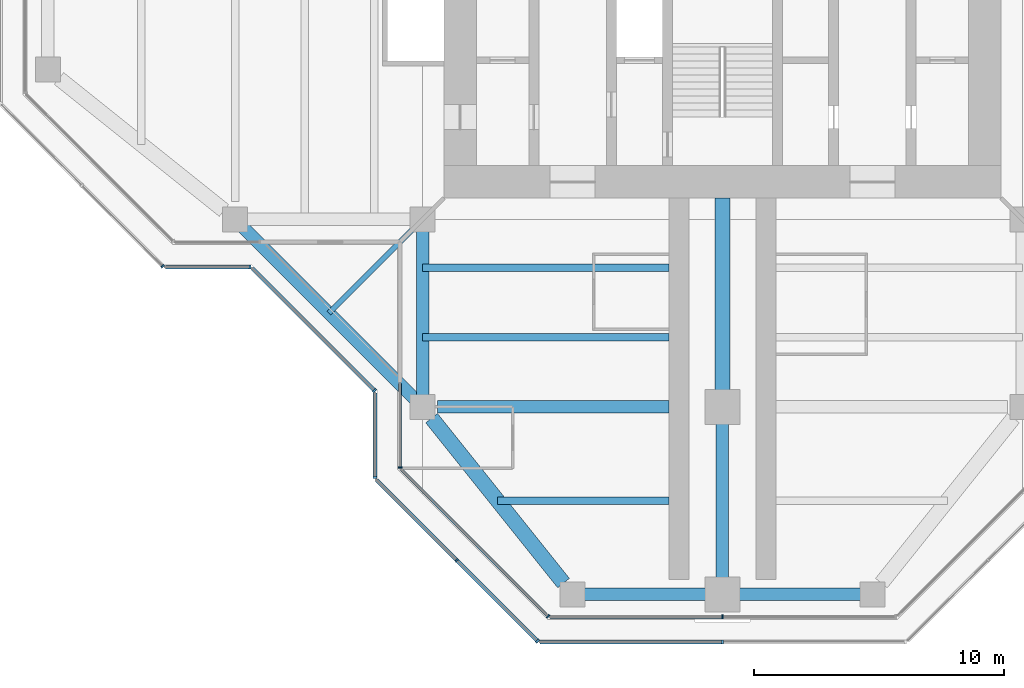
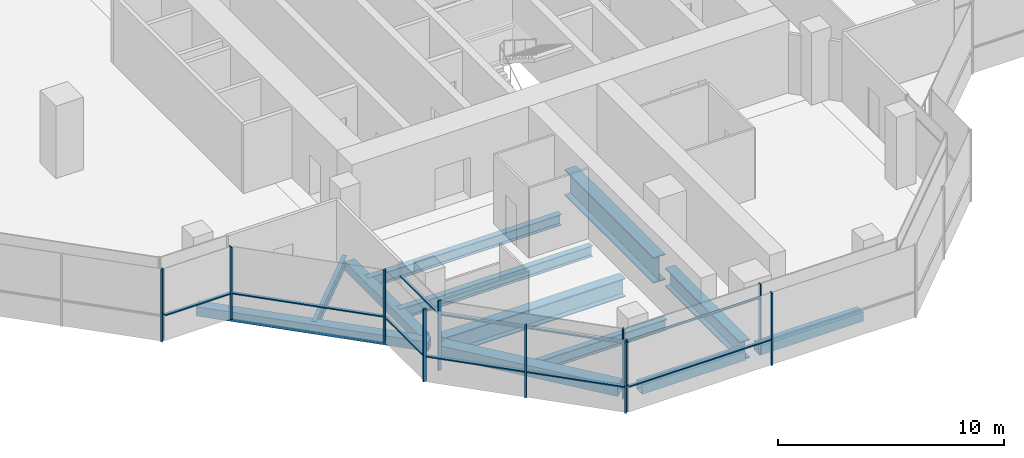
# One storey, part 2 of 15: 19 members, 12 beams, 9 elements without a shape of their own.
"""IFC4 building model written with IfcOpenShell, lengths in metres."""

from ifc_helpers import new_model, si_unit, direction, frame, origin, origin_2d, place, context, subcontext, project, spatial, rectangle, hollow_rectangle, i_section, extrude, material, material_profile, profile_set, type_object, element, aggregate, save


model = new_model("IFC4")

# Units and contexts
model_context = context("Model", 3, precision=1e-05, world=origin(), true_north=direction((0.0, 1.0)))
body_context = subcontext(model_context, "Body", "Model", "MODEL_VIEW")
ifc_project = project(units=[si_unit("LENGTHUNIT", "METRE"), si_unit("AREAUNIT", "SQUARE_METRE"), si_unit("VOLUMEUNIT", "CUBIC_METRE"), si_unit("PLANEANGLEUNIT", "RADIAN"), si_unit("MASSUNIT", "GRAM", prefix="KILO")], contexts=[model_context])

# Site, building, storey
site_placement = place(None, origin())
site = spatial("IfcSite", under=ifc_project, at=site_placement, CompositionType="ELEMENT")
building_placement = place(site_placement, origin())
building = spatial("IfcBuilding", under=site, at=building_placement, Name="Mizan Broadcast Tower", CompositionType="ELEMENT")
storey_placement = place(building_placement, frame((0.0, 0.0, 267.300048828125)))
storey = spatial("IfcBuildingStorey", under=building, at=storey_placement, Name="L63", CompositionType="ELEMENT", Elevation=267.300048828125)

# Beams
ifc_material_1 = material(Name="Steel S355", Category="steel")
ifc_material_profile_1 = material_profile(ifc_material_1, hollow_rectangle(XDim=0.5, YDim=0.5, WallThickness=0.030029296875, at=origin_2d()), Name="BOX 500x500x30")
ifc_profile_set_1 = profile_set([ifc_material_profile_1], Name="Steel S355")
beam_type_1 = type_object("IfcBeamType", Name="EDGE BEAM BOX 500x500x30", PredefinedType="SPANDREL", material=ifc_profile_set_1)
beam_1_placement = place(storey_placement, frame((-12.0, -12.449951171875, -0.380126953125), z_axis=(0.0, -1.0, 0.0), x_axis=(1.0, 0.0, 0.0)))
element("IfcBeam", 1, at=beam_1_placement, inside=storey, type_object=beam_type_1, Name="Edge beam BOX 500x500x30 L63 south arm", PredefinedType="SPANDREL", context=body_context, shape_type="SweptSolid", body=[
    extrude(hollow_rectangle(XDim=0.5, YDim=0.5, WallThickness=0.030029296875, at=origin_2d()), origin(), (0.0, 0.0, 1.0), 6.60009765625),
])
for number, where, z_axis, x_axis, name in (
    (2, (-5.639892578125, -27.0, -0.380126953125), (1.0, 0.0, 0.0), (0.0, 1.0, 0.0), "Edge beam BOX 500x500x30 L63 south arm"),
    (3, (5.639892578125, -27.0, -0.380126953125), (-1.0, 0.0, 0.0), (0.0, -1.0, 0.0), "Edge beam BOX 500x500x30 L63 south arm"),
):
    element("IfcBeam", number, at=place(storey_placement, frame(where, z_axis=z_axis, x_axis=x_axis)), inside=storey, type_object=beam_type_1, Name=name, PredefinedType="SPANDREL", context=body_context, shape_type="SweptSolid", body=[
        extrude(hollow_rectangle(XDim=0.5, YDim=0.5, WallThickness=0.030029296875, at=origin_2d()), origin(), (0.0, 0.0, 1.0), 5.27978515625),
    ])
beam_2_placement = place(storey_placement, frame((-19.5, -12.0, -0.380126953125), z_axis=(0.707106781187, -0.707106781187, 0.0), x_axis=(0.707106781187, 0.707106781187, 0.0)))
element("IfcBeam", 4, at=beam_2_placement, inside=storey, type_object=beam_type_1, Name="Winter garden edge beam L63 W", PredefinedType="SPANDREL", context=body_context, shape_type="SweptSolid", body=[
    extrude(hollow_rectangle(XDim=0.5, YDim=0.5, WallThickness=0.030029296875, at=origin_2d()), origin(), (0.0, 0.0, 1.0), 10.606689453125),
])
ifc_material_2 = material(Name="Steel S355", Category="steel")
ifc_material_profile_2 = material_profile(ifc_material_2, hollow_rectangle(XDim=0.60009765625, YDim=0.60009765625, WallThickness=0.030029296875, at=origin_2d()), Name="BOX 600x600x30")
ifc_profile_set_2 = profile_set([ifc_material_profile_2], Name="Steel S355")
beam_type_2 = type_object("IfcBeamType", Name="EDGE BEAM BOX 600x600x30", PredefinedType="SPANDREL", material=ifc_profile_set_2)
beam_3_placement = place(storey_placement, frame((-11.639892578125, -19.949951171875, -0.429931640625), z_axis=(0.624673911726, -0.780885717636, 0.0), x_axis=(0.780885717636, 0.624673911726, 0.0)))
element("IfcBeam", 5, at=beam_3_placement, inside=storey, type_object=beam_type_2, Name="Edge beam BOX 600x600x30 L63 south arm", PredefinedType="SPANDREL", context=body_context, shape_type="SweptSolid", body=[
    extrude(hollow_rectangle(XDim=0.60009765625, YDim=0.60009765625, WallThickness=0.030029296875, at=origin_2d()), origin(), (0.0, 0.0, 1.0), 8.4521484375),
])
ifc_material_3 = material(Name="Steel S460", Category="steel")
ifc_material_profile_3 = material_profile(ifc_material_3, i_section(OverallWidth=0.5, OverallDepth=1.0, WebThickness=0.02490234375, FlangeThickness=0.050048828125, at=origin_2d()), Name="WPG 1000x500")
ifc_profile_set_3 = profile_set([ifc_material_profile_3], Name="Steel S460")
beam_type_3 = type_object("IfcBeamType", Name="GIRDER WPG 1000x500", PredefinedType="BEAM", material=ifc_profile_set_3)
beam_4_placement = place(storey_placement, frame((0.0, -19.949951171875, -0.630126953125), z_axis=(0.0, -1.0, 0.0), x_axis=(1.0, 0.0, 0.0)))
element("IfcBeam", 6, at=beam_4_placement, inside=storey, type_object=beam_type_3, Name="Girder WPG 1000x500 L63 south arm", PredefinedType="BEAM", context=body_context, shape_type="SweptSolid", body=[
    extrude(i_section(OverallWidth=0.5, OverallDepth=1.0, WebThickness=0.02490234375, FlangeThickness=0.050048828125, at=origin_2d()), origin(), (0.0, 0.0, 1.0), 6.60009765625),
])
beam_5_placement = place(storey_placement, frame((-11.408935546875, -19.5, -0.630126953125), z_axis=(1.0, 0.0, 0.0), x_axis=(0.0, 1.0, 0.0)))
element("IfcBeam", 7, at=beam_5_placement, inside=storey, type_object=beam_type_3, Name="Girder WPG 1000x500 L63 south arm", PredefinedType="BEAM", context=body_context, shape_type="SweptSolid", body=[
    extrude(i_section(OverallWidth=0.5, OverallDepth=1.0, WebThickness=0.02490234375, FlangeThickness=0.050048828125, at=origin_2d()), origin(), (0.0, 0.0, 1.0), 9.259033203125),
])
ifc_material_4 = material(Name="Steel S460", Category="steel")
ifc_material_profile_4 = material_profile(ifc_material_4, i_section(OverallWidth=0.60009765625, OverallDepth=1.39990234375, WebThickness=0.02490234375, FlangeThickness=0.06005859375, at=origin_2d()), Name="WPG 1400x600")
ifc_profile_set_4 = profile_set([ifc_material_profile_4], Name="Steel S460")
beam_type_4 = type_object("IfcBeamType", Name="GIRDER WPG 1400x600", PredefinedType="BEAM", material=ifc_profile_set_4)
beam_6_placement = place(storey_placement, frame((0.0, -11.14990234375, -0.830078125), z_axis=(0.0, -1.0, 0.0), x_axis=(1.0, 0.0, 0.0)))
element("IfcBeam", 8, at=beam_6_placement, inside=storey, type_object=beam_type_4, Name="Girder WPG 1400x600 L63 south arm", PredefinedType="BEAM", context=body_context, shape_type="SweptSolid", body=[
    extrude(i_section(OverallWidth=0.60009765625, OverallDepth=1.39990234375, WebThickness=0.02490234375, FlangeThickness=0.06005859375, at=origin_2d()), origin(), (0.0, 0.0, 1.0), 7.84912109375),
])

# Curtain wall, member
ifc_material_5 = material(Name="Aluminium framed glazing", Category="aluminium")
curtain_wall_type_1 = type_object("IfcCurtainWallType", Name="INNER SKIN TOP ZONE", PredefinedType="USERDEFINED", material=ifc_material_5)
curtain_wall_1_placement = place(storey_placement, origin())
curtain_wall_1 = element("IfcCurtainWall", 9, at=curtain_wall_1_placement, inside=storey, type_object=curtain_wall_type_1, Name="Inner skin top zone L63 S side", ObjectType="INNER SKIN TOP ZONE", PredefinedType="USERDEFINED")
ifc_material_6 = material(Name="Aluminium, pale anodised", Category="aluminium")
ifc_material_profile_5 = material_profile(ifc_material_6, rectangle(XDim=0.159912109375, YDim=0.06005859375, at=origin_2d()), Name="MULLION 160x60")
ifc_profile_set_5 = profile_set([ifc_material_profile_5], Name="Aluminium, pale anodised")
member_type_1 = type_object("IfcMemberType", Name="INNER SKIN MULLION 60x160", PredefinedType="MULLION", material=ifc_profile_set_5)
member_1_placement = place(storey_placement, frame((-12.89990234375, -21.928466796875, 0.0), z_axis=(0.0, 0.0, 1.0), x_axis=(1.0, 0.0, 0.0)))
member_1 = element("IfcMember", 10, at=member_1_placement, type_object=member_type_1, Name="Inner skin top zone L63 S side mullion 2", PredefinedType="MULLION", context=body_context, shape_type="SweptSolid", body=[
    extrude(rectangle(XDim=0.159912109375, YDim=0.06005859375, at=origin_2d()), origin(), (0.0, 0.0, 1.0), 3.77001953125),
])

curtain_wall_2_placement = place(storey_placement, origin())
curtain_wall_2 = element("IfcCurtainWall", 11, at=curtain_wall_2_placement, inside=storey, type_object=curtain_wall_type_1, Name="Inner skin top zone L63 S chamfer", ObjectType="INNER SKIN TOP ZONE", PredefinedType="USERDEFINED")
member_2_placement = place(storey_placement, frame((-6.979736328125, -27.87890625, 0.0), z_axis=(0.0, 0.0, 1.0), x_axis=(0.707106781187, 0.707106781187, 0.0)))
member_2 = element("IfcMember", 12, at=member_2_placement, type_object=member_type_1, Name="Inner skin top zone L63 S chamfer mullion 2", PredefinedType="MULLION", context=body_context, shape_type="SweptSolid", body=[
    extrude(rectangle(XDim=0.159912109375, YDim=0.06005859375, at=origin_2d()), origin(), (0.0, 0.0, 1.0), 3.77001953125),
])

curtain_wall_3_placement = place(storey_placement, origin())
curtain_wall_3 = element("IfcCurtainWall", 13, at=curtain_wall_3_placement, inside=storey, type_object=curtain_wall_type_1, Name="Inner skin top zone L63 S end", ObjectType="INNER SKIN TOP ZONE", PredefinedType="USERDEFINED")
member_3_placement = place(storey_placement, frame((0.0, -27.89990234375, 0.0), z_axis=(0.0, 0.0, 1.0), x_axis=(0.0, 1.0, 0.0)))
member_3 = element("IfcMember", 14, at=member_3_placement, type_object=member_type_1, Name="Inner skin top zone L63 S end mullion 2", PredefinedType="MULLION", context=body_context, shape_type="SweptSolid", body=[
    extrude(rectangle(XDim=0.159912109375, YDim=0.06005859375, at=origin_2d()), origin(), (0.0, 0.0, 1.0), 3.77001953125),
])

# Member
ifc_material_7 = material(Name="Aluminium, pale anodised", Category="aluminium")
ifc_material_profile_6 = material_profile(ifc_material_7, rectangle(XDim=0.1201171875, YDim=0.06005859375, at=origin_2d()), Name="TRANSOM 120x60")
ifc_profile_set_6 = profile_set([ifc_material_profile_6], Name="Aluminium, pale anodised")
member_type_2 = type_object("IfcMemberType", Name="INNER SKIN TRANSOM 60x120", PredefinedType="USERDEFINED", material=ifc_profile_set_6)
member_4_placement = place(storey_placement, frame((-12.89990234375, -18.56005859375, 3.030029296875), z_axis=(0.0, -1.0, 0.0), x_axis=(1.0, 0.0, 0.0)))
member_4 = element("IfcMember", 15, at=member_4_placement, type_object=member_type_2, Name="Inner skin top zone L63 S side transom 1.1", ObjectType="TRANSOM", PredefinedType="USERDEFINED", context=body_context, shape_type="SweptSolid", body=[
    extrude(rectangle(XDim=0.1201171875, YDim=0.06005859375, at=origin_2d()), origin(), (0.0, 0.0, 1.0), 3.338623046875),
])

aggregate(curtain_wall_1, [member_1, member_4])

member_5_placement = place(storey_placement, frame((-12.857666015625, -22.0009765625, 3.030029296875), z_axis=(0.707106781187, -0.707106781187, 0.0), x_axis=(0.707106781187, 0.707106781187, 0.0)))
member_5 = element("IfcMember", 16, at=member_5_placement, type_object=member_type_2, Name="Inner skin top zone L63 S chamfer transom 1.1", ObjectType="TRANSOM", PredefinedType="USERDEFINED", context=body_context, shape_type="SweptSolid", body=[
    extrude(rectangle(XDim=0.1201171875, YDim=0.06005859375, at=origin_2d()), origin(), (0.0, 0.0, 1.0), 8.28271484375),
])

aggregate(curtain_wall_2, [member_2, member_5])

member_6_placement = place(storey_placement, frame((-6.898681640625, -27.89990234375, 3.030029296875), z_axis=(1.0, 0.0, 0.0), x_axis=(0.0, 1.0, 0.0)))
member_6 = element("IfcMember", 17, at=member_6_placement, type_object=member_type_2, Name="Inner skin top zone L63 S end transom 1.1", ObjectType="TRANSOM", PredefinedType="USERDEFINED", context=body_context, shape_type="SweptSolid", body=[
    extrude(rectangle(XDim=0.1201171875, YDim=0.06005859375, at=origin_2d()), origin(), (0.0, 0.0, 1.0), 6.86865234375),
])

aggregate(curtain_wall_3, [member_3, member_6])

# Curtain wall, member
ifc_material_8 = material(Name="Aluminium framed glazing", Category="aluminium")
curtain_wall_type_2 = type_object("IfcCurtainWallType", Name="OUTER SKIN", PredefinedType="USERDEFINED", material=ifc_material_8)
curtain_wall_4_placement = place(storey_placement, origin())
curtain_wall_4 = element("IfcCurtainWall", 18, at=curtain_wall_4_placement, inside=storey, type_object=curtain_wall_type_2, Name="Outer skin L63 W chamfer", ObjectType="OUTER SKIN", PredefinedType="USERDEFINED")
ifc_material_9 = material(Name="Aluminium, pale anodised", Category="aluminium")
ifc_material_profile_7 = material_profile(ifc_material_9, rectangle(XDim=0.159912109375, YDim=0.080078125, at=origin_2d()), Name="MULLION 160x80")
ifc_profile_set_7 = profile_set([ifc_material_profile_7], Name="Aluminium, pale anodised")
member_type_3 = type_object("IfcMemberType", Name="OUTER SKIN MULLION 80x160", PredefinedType="MULLION", material=ifc_profile_set_7)
member_7_placement = place(storey_placement, frame((-22.401123046875, -13.871826171875, 0.0), z_axis=(0.0, 0.0, 1.0), x_axis=(0.707106781187, 0.707106781187, 0.0)))
member_7 = element("IfcMember", 19, at=member_7_placement, type_object=member_type_3, Name="Outer skin L63 W chamfer mullion 3", PredefinedType="MULLION", context=body_context, shape_type="SweptSolid", body=[
    extrude(rectangle(XDim=0.159912109375, YDim=0.080078125, at=origin_2d()), origin(), (0.0, 0.0, 1.0), 3.89990234375),
])
aggregate(curtain_wall_4, [member_7])

curtain_wall_5_placement = place(storey_placement, origin())
curtain_wall_5 = element("IfcCurtainWall", 20, at=curtain_wall_5_placement, inside=storey, type_object=curtain_wall_type_2, Name="Outer skin L63 W side", ObjectType="OUTER SKIN", PredefinedType="USERDEFINED")
member_8_placement = place(storey_placement, frame((-18.912841796875, -13.89990234375, 0.0), z_axis=(0.0, 0.0, 1.0), x_axis=(0.0, 1.0, 0.0)))
member_8 = element("IfcMember", 21, at=member_8_placement, type_object=member_type_3, Name="Outer skin L63 W side mullion 2", PredefinedType="MULLION", context=body_context, shape_type="SweptSolid", body=[
    extrude(rectangle(XDim=0.159912109375, YDim=0.080078125, at=origin_2d()), origin(), (0.0, 0.0, 1.0), 3.89990234375),
])

curtain_wall_6_placement = place(storey_placement, origin())
curtain_wall_6 = element("IfcCurtainWall", 22, at=curtain_wall_6_placement, inside=storey, type_object=curtain_wall_type_2, Name="Outer skin L63 W chamfer", ObjectType="OUTER SKIN", PredefinedType="USERDEFINED")
member_9_placement = place(storey_placement, frame((-13.92822265625, -18.844482421875, 0.0), z_axis=(0.0, 0.0, 1.0), x_axis=(0.707106781187, 0.707106781187, 0.0)))
member_9 = element("IfcMember", 23, at=member_9_placement, type_object=member_type_3, Name="Outer skin L63 W chamfer mullion 2", PredefinedType="MULLION", context=body_context, shape_type="SweptSolid", body=[
    extrude(rectangle(XDim=0.159912109375, YDim=0.080078125, at=origin_2d()), origin(), (0.0, 0.0, 1.0), 3.89990234375),
])

curtain_wall_7_placement = place(storey_placement, origin())
curtain_wall_7 = element("IfcCurtainWall", 24, at=curtain_wall_7_placement, inside=storey, type_object=curtain_wall_type_2, Name="Outer skin L63 S side", ObjectType="OUTER SKIN", PredefinedType="USERDEFINED")
member_10_placement = place(storey_placement, frame((-13.89990234375, -22.332763671875, 0.0), z_axis=(0.0, 0.0, 1.0), x_axis=(1.0, 0.0, 0.0)))
member_10 = element("IfcMember", 25, at=member_10_placement, type_object=member_type_3, Name="Outer skin L63 S side mullion 2", PredefinedType="MULLION", context=body_context, shape_type="SweptSolid", body=[
    extrude(rectangle(XDim=0.159912109375, YDim=0.080078125, at=origin_2d()), origin(), (0.0, 0.0, 1.0), 3.89990234375),
])

# Curtain wall, members
curtain_wall_8_placement = place(storey_placement, origin())
curtain_wall_8 = element("IfcCurtainWall", 26, at=curtain_wall_8_placement, inside=storey, type_object=curtain_wall_type_2, Name="Outer skin L63 S chamfer", ObjectType="OUTER SKIN", PredefinedType="USERDEFINED")
member_11_placement = place(storey_placement, frame((-10.636474609375, -25.636474609375, 0.0), z_axis=(0.0, 0.0, 1.0), x_axis=(0.707106781187, 0.707106781187, 0.0)))
member_11 = element("IfcMember", 27, at=member_11_placement, type_object=member_type_3, Name="Outer skin L63 S chamfer mullion 2", PredefinedType="MULLION", context=body_context, shape_type="SweptSolid", body=[
    extrude(rectangle(XDim=0.159912109375, YDim=0.080078125, at=origin_2d()), origin(), (0.0, 0.0, 1.0), 3.89990234375),
])
member_12_placement = place(storey_placement, frame((-7.401123046875, -28.871826171875, 0.0), z_axis=(0.0, 0.0, 1.0), x_axis=(0.707106781187, 0.707106781187, 0.0)))
member_12 = element("IfcMember", 28, at=member_12_placement, type_object=member_type_3, Name="Outer skin L63 S chamfer mullion 3", PredefinedType="MULLION", context=body_context, shape_type="SweptSolid", body=[
    extrude(rectangle(XDim=0.159912109375, YDim=0.080078125, at=origin_2d()), origin(), (0.0, 0.0, 1.0), 3.89990234375),
])

# Curtain wall, member
curtain_wall_9_placement = place(storey_placement, origin())
curtain_wall_9 = element("IfcCurtainWall", 29, at=curtain_wall_9_placement, inside=storey, type_object=curtain_wall_type_2, Name="Outer skin L63 S end", ObjectType="OUTER SKIN", PredefinedType="USERDEFINED")
member_13_placement = place(storey_placement, frame((0.0, -28.89990234375, 0.0), z_axis=(0.0, 0.0, 1.0), x_axis=(0.0, 1.0, 0.0)))
member_13 = element("IfcMember", 30, at=member_13_placement, type_object=member_type_3, Name="Outer skin L63 S end mullion 2", PredefinedType="MULLION", context=body_context, shape_type="SweptSolid", body=[
    extrude(rectangle(XDim=0.159912109375, YDim=0.080078125, at=origin_2d()), origin(), (0.0, 0.0, 1.0), 3.89990234375),
])

# Member
ifc_material_10 = material(Name="Aluminium, pale anodised", Category="aluminium")
ifc_material_profile_8 = material_profile(ifc_material_10, rectangle(XDim=0.159912109375, YDim=0.06005859375, at=origin_2d()), Name="TRANSOM 160x60")
ifc_profile_set_8 = profile_set([ifc_material_profile_8], Name="Aluminium, pale anodised")
member_type_4 = type_object("IfcMemberType", Name="OUTER SKIN TRANSOM 60x160", PredefinedType="USERDEFINED", material=ifc_profile_set_8)
member_14_placement = place(storey_placement, frame((-22.292724609375, -13.89990234375, 1.39990234375), z_axis=(1.0, 0.0, 0.0), x_axis=(0.0, 1.0, 0.0)))
member_14 = element("IfcMember", 31, at=member_14_placement, type_object=member_type_4, Name="Outer skin L63 W side transom 1.1", ObjectType="TRANSOM", PredefinedType="USERDEFINED", context=body_context, shape_type="SweptSolid", body=[
    extrude(rectangle(XDim=0.159912109375, YDim=0.06005859375, at=origin_2d()), origin(), (0.0, 0.0, 1.0), 3.33984375),
])

aggregate(curtain_wall_5, [member_8, member_14])

member_15_placement = place(storey_placement, frame((-18.816162109375, -13.95654296875, 1.39990234375), z_axis=(0.707106781187, -0.707106781187, 0.0), x_axis=(0.707106781187, 0.707106781187, 0.0)))
member_15 = element("IfcMember", 32, at=member_15_placement, type_object=member_type_4, Name="Outer skin L63 W chamfer transom 1.1", ObjectType="TRANSOM", PredefinedType="USERDEFINED", context=body_context, shape_type="SweptSolid", body=[
    extrude(rectangle(XDim=0.159912109375, YDim=0.06005859375, at=origin_2d()), origin(), (0.0, 0.0, 1.0), 6.87255859375),
])

aggregate(curtain_wall_6, [member_9, member_15])

member_16_placement = place(storey_placement, frame((-13.89990234375, -18.952880859375, 1.39990234375), z_axis=(0.0, -1.0, 0.0), x_axis=(1.0, 0.0, 0.0)))
member_16 = element("IfcMember", 33, at=member_16_placement, type_object=member_type_4, Name="Outer skin L63 S side transom 1.1", ObjectType="TRANSOM", PredefinedType="USERDEFINED", context=body_context, shape_type="SweptSolid", body=[
    extrude(rectangle(XDim=0.159912109375, YDim=0.06005859375, at=origin_2d()), origin(), (0.0, 0.0, 1.0), 3.33984375),
])

aggregate(curtain_wall_7, [member_10, member_16])

member_17_placement = place(storey_placement, frame((-13.843505859375, -22.429443359375, 1.39990234375), z_axis=(0.707106781187, -0.707106781187, 0.0), x_axis=(0.707106781187, 0.707106781187, 0.0)))
member_17 = element("IfcMember", 34, at=member_17_placement, type_object=member_type_4, Name="Outer skin L63 S chamfer transom 1.1", ObjectType="TRANSOM", PredefinedType="USERDEFINED", context=body_context, shape_type="SweptSolid", body=[
    extrude(rectangle(XDim=0.159912109375, YDim=0.06005859375, at=origin_2d()), origin(), (0.0, 0.0, 1.0), 4.495361328125),
])

member_18_placement = place(storey_placement, frame((-10.608154296875, -25.664794921875, 1.39990234375), z_axis=(0.707106781187, -0.707106781187, 0.0), x_axis=(0.707106781187, 0.707106781187, 0.0)))
member_18 = element("IfcMember", 35, at=member_18_placement, type_object=member_type_4, Name="Outer skin L63 S chamfer transom 2.1", ObjectType="TRANSOM", PredefinedType="USERDEFINED", context=body_context, shape_type="SweptSolid", body=[
    extrude(rectangle(XDim=0.159912109375, YDim=0.06005859375, at=origin_2d()), origin(), (0.0, 0.0, 1.0), 4.495361328125),
])

aggregate(curtain_wall_8, [member_11, member_12, member_17, member_18])

member_19_placement = place(storey_placement, frame((-7.292724609375, -28.89990234375, 1.39990234375), z_axis=(1.0, 0.0, 0.0), x_axis=(0.0, 1.0, 0.0)))
member_19 = element("IfcMember", 36, at=member_19_placement, type_object=member_type_4, Name="Outer skin L63 S end transom 1.1", ObjectType="TRANSOM", PredefinedType="USERDEFINED", context=body_context, shape_type="SweptSolid", body=[
    extrude(rectangle(XDim=0.159912109375, YDim=0.06005859375, at=origin_2d()), origin(), (0.0, 0.0, 1.0), 7.252685546875),
])

aggregate(curtain_wall_9, [member_13, member_19])

# Beams
ifc_material_11 = material(Name="Steel S355", Category="steel")
ifc_material_profile_9 = material_profile(ifc_material_11, i_section(OverallWidth=0.300048828125, OverallDepth=0.590087890625, WebThickness=0.012939453125, FlangeThickness=0.02490234375, FilletRadius=0.027099609375, at=origin_2d()), Name="HEA 600")
ifc_profile_set_9 = profile_set([ifc_material_profile_9], Name="Steel S355")
beam_type_5 = type_object("IfcBeamType", Name="SECONDARY BEAM HEA 600", PredefinedType="JOIST", material=ifc_profile_set_9)
for number, where, z_axis, x_axis, name in (
    (37, (-12.0, -13.933349609375, -0.425048828125), (1.0, 0.0, 0.0), (0.0, 1.0, 0.0), "Secondary beam HEA 600 L63 south arm"),
    (38, (-12.0, -16.716552734375, -0.425048828125), (1.0, 0.0, 0.0), (0.0, 1.0, 0.0), "Secondary beam HEA 600 L63 south arm"),
):
    element("IfcBeam", number, at=place(storey_placement, frame(where, z_axis=z_axis, x_axis=x_axis)), inside=storey, type_object=beam_type_5, Name=name, PredefinedType="JOIST", context=body_context, shape_type="SweptSolid", body=[
        extrude(i_section(OverallWidth=0.300048828125, OverallDepth=0.590087890625, WebThickness=0.012939453125, FlangeThickness=0.02490234375, FilletRadius=0.027099609375, at=origin_2d()), origin(), (0.0, 0.0, 1.0), 9.85009765625),
    ])
beam_7_placement = place(storey_placement, frame((-9.0, -23.25, -0.425048828125), z_axis=(1.0, 0.0, 0.0), x_axis=(0.0, 1.0, 0.0)))
element("IfcBeam", 39, at=beam_7_placement, inside=storey, type_object=beam_type_5, Name="Secondary beam HEA 600 L63 south arm", PredefinedType="JOIST", context=body_context, shape_type="SweptSolid", body=[
    extrude(i_section(OverallWidth=0.300048828125, OverallDepth=0.590087890625, WebThickness=0.012939453125, FlangeThickness=0.02490234375, FilletRadius=0.027099609375, at=origin_2d()), origin(), (0.0, 0.0, 1.0), 6.85009765625),
])
ifc_material_12 = material(Name="Steel S355", Category="steel")
ifc_material_profile_10 = material_profile(ifc_material_12, i_section(OverallWidth=0.2099609375, OverallDepth=0.550048828125, WebThickness=0.010986328125, FlangeThickness=0.01708984375, FilletRadius=0.02392578125, at=origin_2d()), Name="IPE 550")
ifc_profile_set_10 = profile_set([ifc_material_profile_10], Name="Steel S355")
beam_type_6 = type_object("IfcBeamType", Name="SECONDARY BEAM IPE 550", PredefinedType="JOIST", material=ifc_profile_set_10)
beam_8_placement = place(storey_placement, frame((-12.0, -12.0, -0.405029296875), z_axis=(-0.707106781187, -0.707106781187, 0.0), x_axis=(0.707106781187, -0.707106781187, 0.0)))
element("IfcBeam", 40, at=beam_8_placement, inside=storey, type_object=beam_type_6, Name="Winter garden beam L63 W", PredefinedType="JOIST", context=body_context, shape_type="SweptSolid", body=[
    extrude(i_section(OverallWidth=0.2099609375, OverallDepth=0.550048828125, WebThickness=0.010986328125, FlangeThickness=0.01708984375, FilletRadius=0.02392578125, at=origin_2d()), origin(), (0.0, 0.0, 1.0), 5.30322265625),
])

save(model, "model.ifc")
